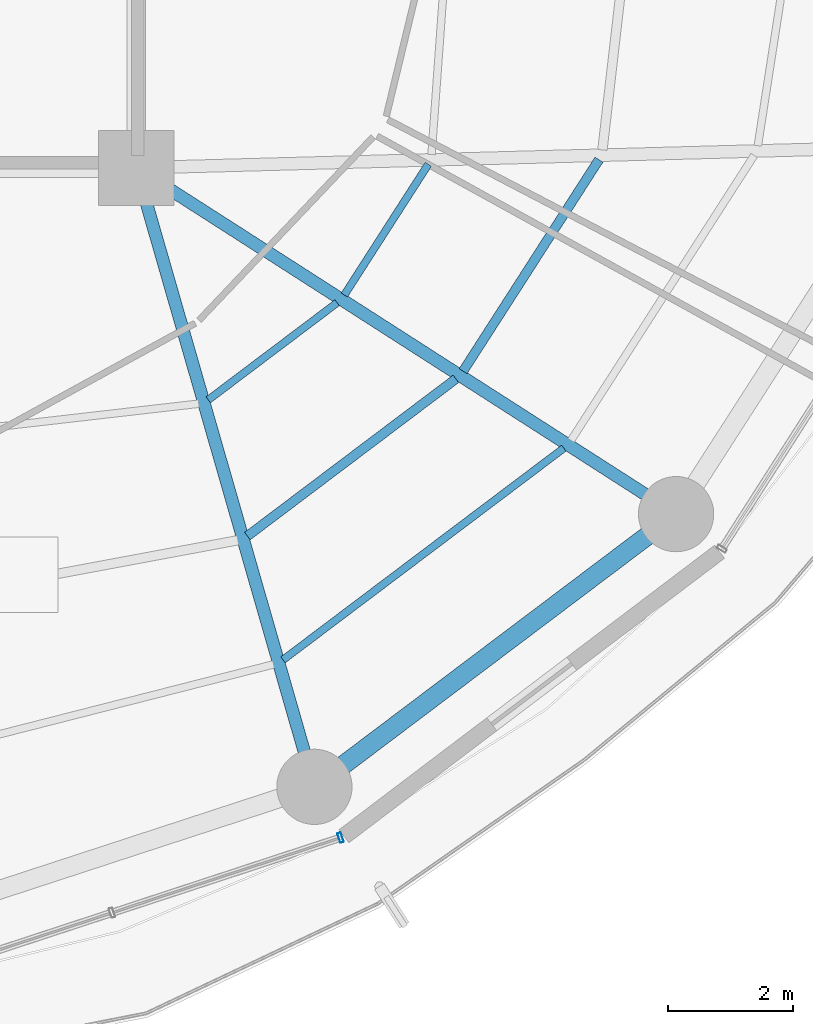
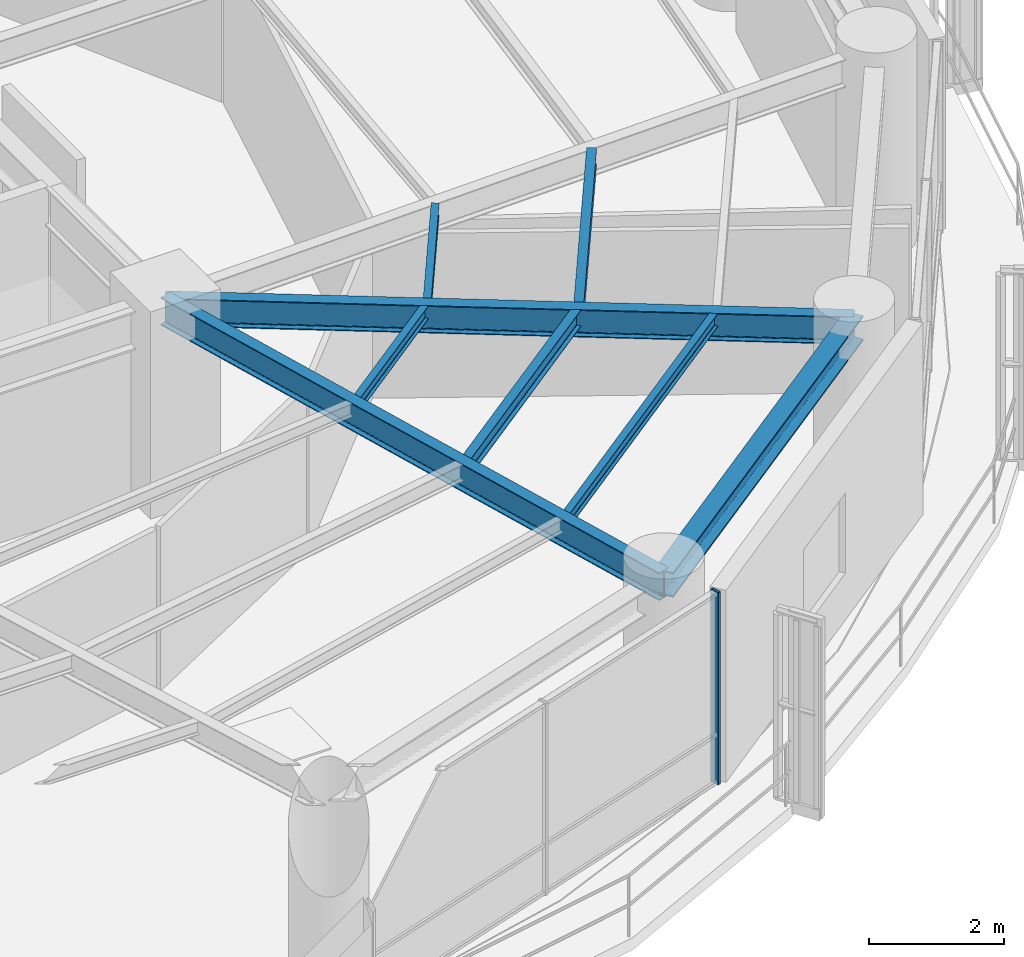
# One storey, part 10 of 27: 8 beams, 1 member, 1 element without a shape of its own.
"""IFC4 building model written with IfcOpenShell, lengths in metres."""

from ifc_helpers import new_model, si_unit, direction, frame, origin, origin_2d, place, context, subcontext, project, spatial, hollow_rectangle, i_section, extrude, material, layer, layer_set, material_profile, profile_set, type_object, element, aggregate, save


model = new_model("IFC4")

# Units and contexts
model_context = context("Model", 3, precision=1e-05, world=origin(), true_north=direction((0.0, 1.0)))
body_context = subcontext(model_context, "Body", "Model", "MODEL_VIEW")
ifc_project = project(units=[si_unit("LENGTHUNIT", "METRE"), si_unit("AREAUNIT", "SQUARE_METRE"), si_unit("VOLUMEUNIT", "CUBIC_METRE"), si_unit("PLANEANGLEUNIT", "RADIAN"), si_unit("MASSUNIT", "GRAM", prefix="KILO")], contexts=[model_context])

# Site, building, storey
site_placement = place(None, origin())
site = spatial("IfcSite", under=ifc_project, at=site_placement, CompositionType="ELEMENT")
building_placement = place(site_placement, origin())
building = spatial("IfcBuilding", under=site, at=building_placement, Name="Kelanora Arch Commons", CompositionType="ELEMENT")
storey_placement = place(building_placement, frame((0.0, 0.0, 143.10009765625)))
storey = spatial("IfcBuildingStorey", under=building, at=storey_placement, Name="L36", CompositionType="ELEMENT", Elevation=143.10009765625)

# Beams
ifc_material_1 = material(Name="Steel S355", Category="steel")
ifc_material_profile_1 = material_profile(ifc_material_1, i_section(OverallWidth=0.14990234375, OverallDepth=0.300048828125, WebThickness=0.007080078125, FlangeThickness=0.0107421875, FilletRadius=0.014892578125, at=origin_2d()), Name="IPE300")
ifc_profile_set_1 = profile_set([ifc_material_profile_1], Name="Steel S355")
beam_type_1 = type_object("IfcBeamType", Name="BM-JST-01", PredefinedType="JOIST", material=ifc_profile_set_1)
beam_1_placement = place(storey_placement, frame((83.77197265625, 45.129150390625, 3.33984375), z_axis=(0.798463547891, 0.602043156833, 0.0), x_axis=(-0.602043156833, 0.798463547891, 0.0)))
element("IfcBeam", 1, at=beam_1_placement, inside=storey, type_object=beam_type_1, Name="Secondary Chord Joist BJB-30 L36", PredefinedType="JOIST", context=body_context, shape_type="SweptSolid", body=[
    extrude(i_section(OverallWidth=0.14990234375, OverallDepth=0.300048828125, WebThickness=0.007080078125, FlangeThickness=0.0107421875, FilletRadius=0.014892578125, at=origin_2d()), origin(), (0.0, 0.0, 1.0), 4.163818359375),
])
beam_2_placement = place(storey_placement, frame((87.210693359375, 47.758544921875, 3.33984375), z_axis=(0.540594434398, 0.841283339606, 0.0), x_axis=(-0.841283339606, 0.540594434398, 0.0)))
element("IfcBeam", 2, at=beam_2_placement, inside=storey, type_object=beam_type_1, Name="Secondary Chord Joist BJB-32 L36", PredefinedType="JOIST", context=body_context, shape_type="SweptSolid", body=[
    extrude(i_section(OverallWidth=0.14990234375, OverallDepth=0.300048828125, WebThickness=0.007080078125, FlangeThickness=0.0107421875, FilletRadius=0.014892578125, at=origin_2d()), origin(), (0.0, 0.0, 1.0), 4.008544921875),
])
ifc_material_profile_2 = material_profile(ifc_material_1, i_section(OverallWidth=0.1201171875, OverallDepth=0.239990234375, WebThickness=0.006103515625, FlangeThickness=0.009765625, FilletRadius=0.014892578125, at=origin_2d()), Name="IPE240")
ifc_profile_set_2 = profile_set([ifc_material_profile_2], Name="Steel S355")
beam_type_2 = type_object("IfcBeamType", Name="BM-JST-02", PredefinedType="JOIST", material=ifc_profile_set_2)
beam_3_placement = place(storey_placement, frame((83.147216796875, 47.300537109375, 3.369873046875), z_axis=(0.798484118859, 0.602015873487, 0.0), x_axis=(-0.602015873487, 0.798484118859, 0.0)))
element("IfcBeam", 3, at=beam_3_placement, inside=storey, type_object=beam_type_2, Name="Secondary Chord Joist BJA-30 L36", PredefinedType="JOIST", context=body_context, shape_type="SweptSolid", body=[
    extrude(i_section(OverallWidth=0.1201171875, OverallDepth=0.239990234375, WebThickness=0.006103515625, FlangeThickness=0.009765625, FilletRadius=0.014892578125, at=origin_2d()), origin(), (0.0, 0.0, 1.0), 2.57470703125),
])
beam_4_placement = place(storey_placement, frame((84.33984375, 43.155029296875, 3.369873046875), z_axis=(0.798493128577, 0.602003923256, 0.0), x_axis=(-0.602003923256, 0.798493128577, 0.0)))
element("IfcBeam", 4, at=beam_4_placement, inside=storey, type_object=beam_type_2, Name="Secondary Chord Joist BJC-30 L36", PredefinedType="JOIST", context=body_context, shape_type="SweptSolid", body=[
    extrude(i_section(OverallWidth=0.1201171875, OverallDepth=0.239990234375, WebThickness=0.006103515625, FlangeThickness=0.009765625, FilletRadius=0.014892578125, at=origin_2d()), origin(), (0.0, 0.0, 1.0), 5.608642578125),
])
beam_5_placement = place(storey_placement, frame((85.31689453125, 48.973388671875, 3.369873046875), z_axis=(0.540583174025, 0.841290575224, 0.0), x_axis=(-0.841290575224, 0.540583174025, 0.0)))
element("IfcBeam", 5, at=beam_5_placement, inside=storey, type_object=beam_type_2, Name="Secondary Chord Joist BJA-32 L36", PredefinedType="JOIST", context=body_context, shape_type="SweptSolid", body=[
    extrude(i_section(OverallWidth=0.1201171875, OverallDepth=0.239990234375, WebThickness=0.006103515625, FlangeThickness=0.009765625, FilletRadius=0.014892578125, at=origin_2d()), origin(), (0.0, 0.0, 1.0), 2.476318359375),
])
ifc_material_profile_3 = material_profile(ifc_material_1, i_section(OverallWidth=0.199951171875, OverallDepth=0.5, WebThickness=0.01025390625, FlangeThickness=0.01611328125, FilletRadius=0.02099609375, at=origin_2d()), Name="IPE500")
ifc_profile_set_3 = profile_set([ifc_material_profile_3], Name="Steel S355")
beam_type_3 = type_object("IfcBeamType", Name="BM-RAD-Z3", PredefinedType="BEAM", material=ifc_profile_set_3)
beam_6_placement = place(storey_placement, frame((82.0, 51.0, 3.239990234375), z_axis=(0.276525880065, -0.961006471182, 0.0), x_axis=(0.961006471182, 0.276525880065, 0.0)))
element("IfcBeam", 6, at=beam_6_placement, inside=storey, type_object=beam_type_3, Name="Radial Floor Girder BR-30 L36", PredefinedType="BEAM", context=body_context, shape_type="SweptSolid", body=[
    extrude(i_section(OverallWidth=0.199951171875, OverallDepth=0.5, WebThickness=0.01025390625, FlangeThickness=0.01611328125, FilletRadius=0.02099609375, at=origin_2d()), origin(), (0.0, 0.0, 1.0), 10.2705078125),
])
beam_7_placement = place(storey_placement, frame((82.0, 51.0, 3.239990234375), z_axis=(0.841719465748, -0.539915123868, 0.0), x_axis=(0.539915123868, 0.841719465748, 0.0)))
element("IfcBeam", 7, at=beam_7_placement, inside=storey, type_object=beam_type_3, Name="Radial Floor Girder BR-32 L36", PredefinedType="BEAM", context=body_context, shape_type="SweptSolid", body=[
    extrude(i_section(OverallWidth=0.199951171875, OverallDepth=0.5, WebThickness=0.01025390625, FlangeThickness=0.01611328125, FilletRadius=0.02099609375, at=origin_2d()), origin(), (0.0, 0.0, 1.0), 10.2265625),
])
ifc_material_profile_4 = material_profile(ifc_material_1, i_section(OverallWidth=0.300048828125, OverallDepth=0.449951171875, WebThickness=0.013916015625, FlangeThickness=0.02587890625, FilletRadius=0.027099609375, at=origin_2d()), Name="HEB450")
ifc_profile_set_4 = profile_set([ifc_material_profile_4], Name="Steel S355")
beam_type_4 = type_object("IfcBeamType", Name="BM-SPN-Z3", PredefinedType="SPANDREL", material=ifc_profile_set_4)
beam_8_placement = place(storey_placement, frame((84.840087890625, 41.1298828125, 3.264892578125), z_axis=(0.798484645564, 0.60201517489, 0.0), x_axis=(-0.60201517489, 0.798484645564, 0.0)))
element("IfcBeam", 8, at=beam_8_placement, inside=storey, type_object=beam_type_4, Name="Perimeter Spandrel Beam BS-30 L36", PredefinedType="SPANDREL", context=body_context, shape_type="SweptSolid", body=[
    extrude(i_section(OverallWidth=0.300048828125, OverallDepth=0.449951171875, WebThickness=0.013916015625, FlangeThickness=0.02587890625, FilletRadius=0.027099609375, at=origin_2d()), origin(), (0.0, 0.0, 1.0), 7.223388671875),
])

# Curtain wall, member
ifc_material_2 = material(Name="Terracotta ceramic-fritted low-E glass and aluminium", Category="masonry")
ifc_layer = layer(ifc_material_2, 0.175048828125)
ifc_layer_set = layer_set([ifc_layer], Name="Terracotta ceramic-fritted low-E glass and aluminium")
curtain_wall_type = type_object("IfcCurtainWallType", Name="CW-SYS-02", PredefinedType="NOTDEFINED", material=ifc_layer_set)
curtain_wall_placement = place(storey_placement, origin())
curtain_wall = element("IfcCurtainWall", 9, at=curtain_wall_placement, inside=storey, type_object=curtain_wall_type, Name="Unitised Curtain Wall L36-B14", PredefinedType="NOTDEFINED")
ifc_material_3 = material(Name="Powder-coated aluminium terracotta", Category="masonry")
ifc_material_profile_5 = material_profile(ifc_material_3, hollow_rectangle(XDim=0.159912109375, YDim=0.06005859375, WallThickness=0.0048828125, InnerFilletRadius=0.0048828125, OuterFilletRadius=0.010009765625, at=origin_2d()), Name="CWM160x60")
ifc_profile_set_5 = profile_set([ifc_material_profile_5], Name="Powder-coated aluminium terracotta")
member_type = type_object("IfcMemberType", Name="CWM-STD", PredefinedType="MULLION", material=ifc_profile_set_5)
member_placement = place(storey_placement, frame((85.257080078125, 40.319091796875, 0.0), z_axis=(0.0, 0.0, 1.0), x_axis=(-0.312128279571, 0.95003996605, 0.0)))
member = element("IfcMember", 10, at=member_placement, type_object=member_type, Name="CW-02 mullion 3", PredefinedType="MULLION", context=body_context, shape_type="SweptSolid", body=[
    extrude(hollow_rectangle(XDim=0.159912109375, YDim=0.06005859375, WallThickness=0.0048828125, InnerFilletRadius=0.0048828125, OuterFilletRadius=0.010009765625, at=origin_2d()), origin(), (0.0, 0.0, 1.0), 3.474853515625),
])
aggregate(curtain_wall, [member])

save(model, "model.ifc")
